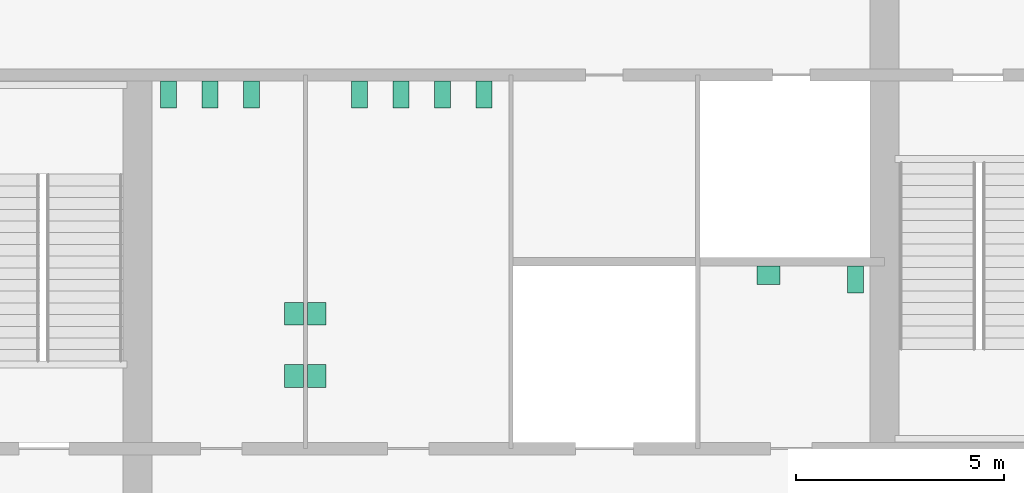
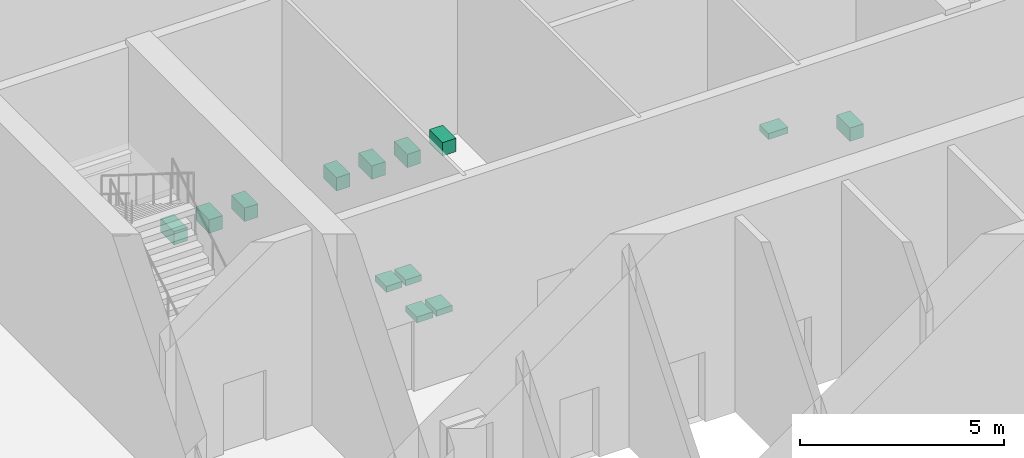
# One storey, part 10 of 10: 13 sanitary terminals.
"""IFC4 building model written with IfcOpenShell, lengths in metres."""

from ifc_helpers import new_model, si_unit, direction, frame, origin, origin_2d, place, context, subcontext, project, spatial, rectangle, extrude, material, type_object, element, save


model = new_model("IFC4")

# Units and contexts
model_context = context("Model", 3, precision=1e-05, world=origin(), true_north=direction((0.0, 1.0)))
body_context = subcontext(model_context, "Body", "Model", "MODEL_VIEW")
ifc_project = project(units=[si_unit("LENGTHUNIT", "METRE"), si_unit("AREAUNIT", "SQUARE_METRE"), si_unit("VOLUMEUNIT", "CUBIC_METRE"), si_unit("PLANEANGLEUNIT", "RADIAN"), si_unit("MASSUNIT", "GRAM", prefix="KILO")], contexts=[model_context])

# Site, building, storey
site_placement = place(None, origin())
site = spatial("IfcSite", under=ifc_project, at=site_placement, CompositionType="ELEMENT")
building_placement = place(site_placement, origin())
building = spatial("IfcBuilding", under=site, at=building_placement, Name="Corais Broadcast Tower", CompositionType="ELEMENT")
storey_placement = place(building_placement, frame((0.0, 0.0, 23.0)))
storey = spatial("IfcBuildingStorey", under=building, at=storey_placement, Name="L04", CompositionType="ELEMENT", Elevation=23.0)

# Sanitary terminals
ifc_material_1 = material(Name="Vitreous china", Category="ceramic")
sanitary_terminal_type_1 = type_object("IfcSanitaryTerminalType", Name="WC pan 380x650", PredefinedType="TOILETPAN", material=ifc_material_1)
for number, where, z_axis, x_axis, name in (
    (1, (18.75, 31.02490234375, 0.0), (0.0, 0.0, 1.0), (1.0, 0.0, 0.0), "SW1 WC pan, male toilets L04"),
    (2, (19.75, 31.02490234375, 0.0), (0.0, 0.0, 1.0), (1.0, 0.0, 0.0), "SW1 WC pan, male toilets L04"),
    (3, (20.75, 31.02490234375, 0.0), (0.0, 0.0, 1.0), (1.0, 0.0, 0.0), "SW1 WC pan, male toilets L04"),
    (4, (23.35009765625, 31.02490234375, 0.0), (0.0, 0.0, 1.0), (1.0, 0.0, 0.0), "SW1 WC pan, female toilets L04"),
    (5, (24.35009765625, 31.02490234375, 0.0), (0.0, 0.0, 1.0), (1.0, 0.0, 0.0), "SW1 WC pan, female toilets L04"),
    (6, (25.35009765625, 31.02490234375, 0.0), (0.0, 0.0, 1.0), (1.0, 0.0, 0.0), "SW1 WC pan, female toilets L04"),
    (7, (26.35009765625, 31.02490234375, 0.0), (0.0, 0.0, 1.0), (1.0, 0.0, 0.0), "SW1 WC pan, female toilets L04"),
    (8, (35.300048828125, 26.574951171875, 0.0), (0.0, 0.0, 1.0), (1.0, 0.0, 0.0), "SW1 WC pan, accessible WC L04"),
):
    element("IfcSanitaryTerminal", number, at=place(storey_placement, frame(where, z_axis=z_axis, x_axis=x_axis)), inside=storey, type_object=sanitary_terminal_type_1, Name=name, PredefinedType="TOILETPAN", context=body_context, shape_type="SweptSolid", body=[
        extrude(rectangle(XDim=0.3798828125, YDim=0.64990234375, at=origin_2d()), origin(), (0.0, 0.0, 1.0), 0.39990234375),
    ])
ifc_material_2 = material(Name="Vitreous china", Category="ceramic")
sanitary_terminal_type_2 = type_object("IfcSanitaryTerminalType", Name="Wash basin 550x450", PredefinedType="WASHHANDBASIN", material=ifc_material_2)
for number, where, z_axis, x_axis, name in (
    (9, (21.77490234375, 24.25, 0.7001953125), (0.0, 0.0, 1.0), (1.0, 0.0, 0.0), "WB1 wash basin, male toilets L04"),
    (10, (21.77490234375, 25.75, 0.7001953125), (0.0, 0.0, 1.0), (1.0, 0.0, 0.0), "WB1 wash basin, male toilets L04"),
    (11, (22.324951171875, 24.25, 0.7001953125), (0.0, 0.0, 1.0), (1.0, 0.0, 0.0), "WB1 wash basin, female toilets L04"),
    (12, (22.324951171875, 25.75, 0.7001953125), (0.0, 0.0, 1.0), (1.0, 0.0, 0.0), "WB1 wash basin, female toilets L04"),
):
    element("IfcSanitaryTerminal", number, at=place(storey_placement, frame(where, z_axis=z_axis, x_axis=x_axis)), inside=storey, type_object=sanitary_terminal_type_2, Name=name, PredefinedType="WASHHANDBASIN", context=body_context, shape_type="SweptSolid", body=[
        extrude(rectangle(XDim=0.449951171875, YDim=0.550048828125, at=origin_2d()), origin(), (0.0, 0.0, 1.0), 0.179931640625),
    ])
sanitary_terminal_placement = place(storey_placement, frame((33.199951171875, 26.675048828125, 0.7001953125), z_axis=(0.0, 0.0, 1.0), x_axis=(1.0, 0.0, 0.0)))
element("IfcSanitaryTerminal", 13, at=sanitary_terminal_placement, inside=storey, type_object=sanitary_terminal_type_2, Name="WB1 wash basin, accessible WC L04", PredefinedType="WASHHANDBASIN", context=body_context, shape_type="SweptSolid", body=[
    extrude(rectangle(XDim=0.550048828125, YDim=0.449951171875, at=origin_2d()), origin(), (0.0, 0.0, 1.0), 0.179931640625),
])

save(model, "model.ifc")
